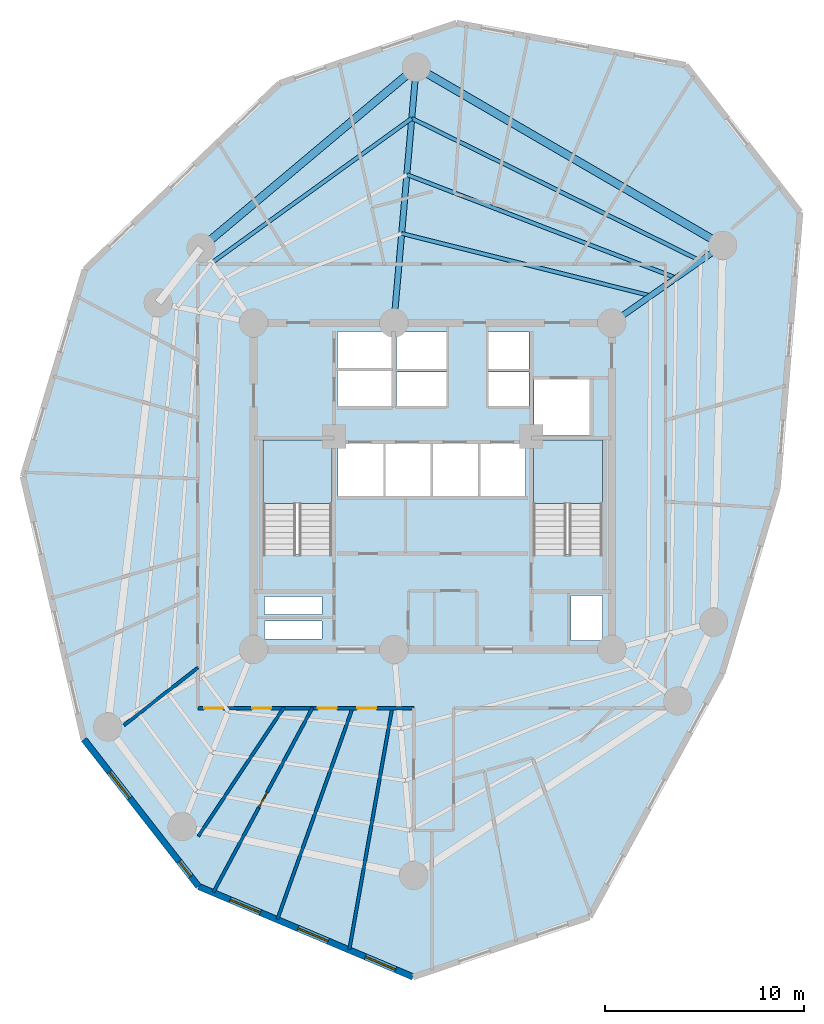
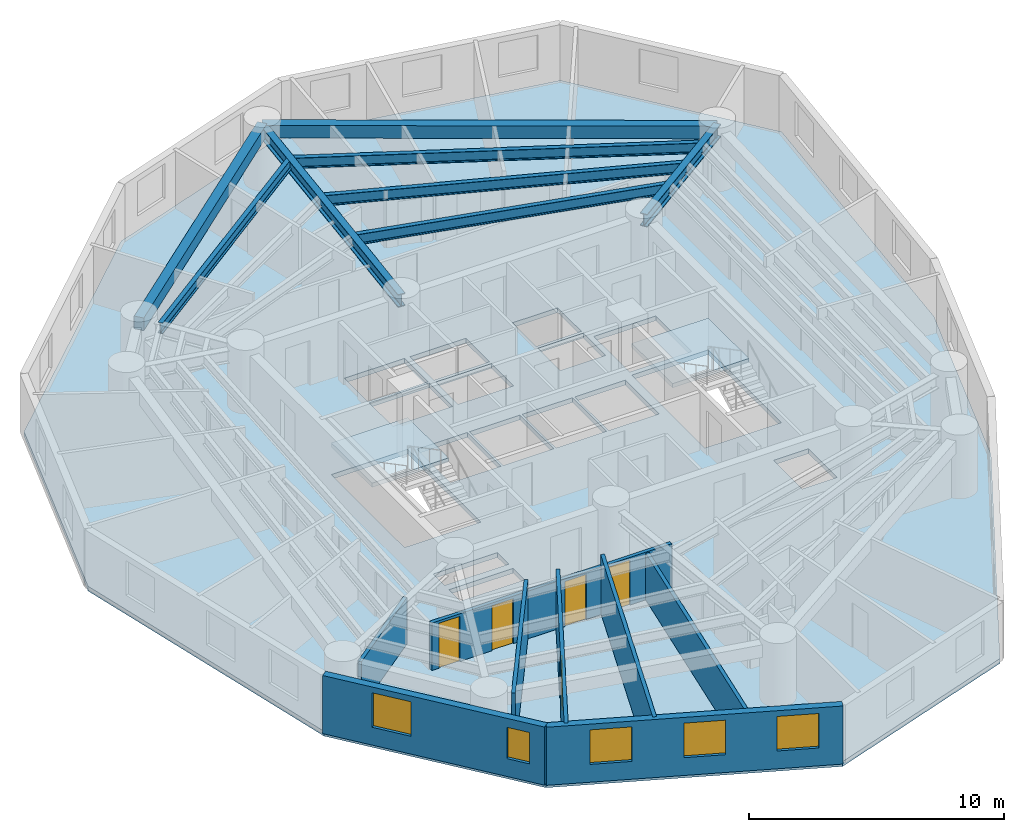
# One storey, part 2 of 7: 8 beams, 8 walls, 5 doors, 5 windows, 3 slabs, 10 openings, 2 elements without a shape of their own.
"""IFC4 building model written with IfcOpenShell, lengths in metres."""

from ifc_helpers import new_model, si_unit, direction, frame, frame_2d, origin, origin_with_axes, origin_2d, place, context, subcontext, project, spatial, polyline, rectangle, i_section, outline, extrude, source, transform, mapped, material, layer, layer_set, material_profile, profile_set, type_object, element, fill, aggregate, save


model = new_model("IFC4")

# Units and contexts
model_context = context("Model", 3, precision=1e-05, world=origin(), true_north=direction((0.0, 1.0)))
body_context = subcontext(model_context, "Body", "Model", "MODEL_VIEW")
ifc_project = project(units=[si_unit("LENGTHUNIT", "METRE"), si_unit("AREAUNIT", "SQUARE_METRE"), si_unit("VOLUMEUNIT", "CUBIC_METRE"), si_unit("PLANEANGLEUNIT", "RADIAN"), si_unit("MASSUNIT", "GRAM", prefix="KILO")], contexts=[model_context])

# Site, building, storey
site_placement = place(None, origin())
site = spatial("IfcSite", under=ifc_project, at=site_placement, CompositionType="ELEMENT")
building_placement = place(site_placement, origin())
building = spatial("IfcBuilding", under=site, at=building_placement, Name="Karkom Vertical University and Central Library", CompositionType="ELEMENT")
storey_placement = place(building_placement, frame((0.0, 0.0, 145.0)))
storey = spatial("IfcBuildingStorey", under=building, at=storey_placement, Name="L41", CompositionType="ELEMENT", Elevation=145.0)

# Beams
ifc_material_1 = material(Name="Precast concrete C45/55", Category="concrete")
ifc_material_profile_1 = material_profile(ifc_material_1, rectangle(XDim=0.39990234375, YDim=0.60009765625, at=origin_2d()), Name="SPB-400x600")
ifc_profile_set_1 = profile_set([ifc_material_profile_1], Name="Precast concrete C45/55")
beam_type_1 = type_object("IfcBeamType", Name="STR-BM-SP-1", PredefinedType="SPANDREL", material=ifc_profile_set_1)
shared_shape_1 = source(origin_with_axes(), body_context, "Body", "SweptSolid", [
    extrude(rectangle(XDim=0.39990234375, YDim=0.60009765625, at=origin_2d()), origin(), (0.0, 0.0, 1.0), 17.808837890625),
])
beam_1_placement = place(storey_placement, frame((43.070068359375, 38.60009765625, 2.47509765625), z_axis=(-0.864512866362, 0.502610688202, 0.0), x_axis=(-0.502610688202, -0.864512866362, 0.0)))
element("IfcBeam", 1, at=beam_1_placement, inside=storey, type_object=beam_type_1, Name="Level 41 Perimeter Spandrel Beam 02", PredefinedType="SPANDREL", context=body_context, shape_type="MappedRepresentation", body=[
    mapped(shared_shape_1, transform((0.0, 0.0, 0.0), scale=1.0)),
])
shared_shape_2 = source(origin_with_axes(), body_context, "Body", "SweptSolid", [
    extrude(rectangle(XDim=0.39990234375, YDim=0.60009765625, at=origin_2d()), origin(), (0.0, 0.0, 1.0), 14.120849609375),
])
beam_2_placement = place(storey_placement, frame((27.674072265625, 47.551025390625, 2.47509765625), z_axis=(-0.765672847866, -0.643230199883, 0.0), x_axis=(0.643230199883, -0.765672847866, 0.0)))
element("IfcBeam", 2, at=beam_2_placement, inside=storey, type_object=beam_type_1, Name="Level 41 Perimeter Spandrel Beam 03", PredefinedType="SPANDREL", context=body_context, shape_type="MappedRepresentation", body=[
    mapped(shared_shape_2, transform((0.0, 0.0, 0.0), scale=1.0)),
])
ifc_material_2 = material(Name="Steel S355", Category="steel")
ifc_material_profile_2 = material_profile(ifc_material_2, i_section(OverallWidth=0.199951171875, OverallDepth=0.5, WebThickness=0.01025390625, FlangeThickness=0.01611328125, FilletRadius=0.02099609375, at=origin_2d()), Name="IPE 500")
ifc_profile_set_2 = profile_set([ifc_material_profile_2], Name="Steel S355")
beam_type_2 = type_object("IfcBeamType", Name="STR-BM-SB-IPE500", PredefinedType="BEAM", material=ifc_profile_set_2)
shared_shape_3 = source(origin_with_axes(), body_context, "Body", "SweptSolid", [
    extrude(i_section(OverallWidth=0.199951171875, OverallDepth=0.5, WebThickness=0.01025390625, FlangeThickness=0.01611328125, FilletRadius=0.02099609375, at=origin_2d()), origin(), (0.0, 0.0, 1.0), 12.892578125),
])
beam_3_placement = place(storey_placement, frame((39.449462890625, 36.06494140625, 2.52490234375), z_axis=(-0.970023194321, 0.243012350468, 0.0), x_axis=(-0.243012350468, -0.970023194321, 0.0)))
element("IfcBeam", 3, at=beam_3_placement, inside=storey, type_object=beam_type_2, Name="Level 41 Secondary Composite Floor Beam 1.02", PredefinedType="BEAM", context=body_context, shape_type="MappedRepresentation", body=[
    mapped(shared_shape_3, transform((0.0, 0.0, 0.0), scale=1.0)),
])
shared_shape_4 = source(origin_with_axes(), body_context, "Body", "SweptSolid", [
    extrude(i_section(OverallWidth=0.199951171875, OverallDepth=0.5, WebThickness=0.01025390625, FlangeThickness=0.01611328125, FilletRadius=0.02099609375, at=origin_2d()), origin(), (0.0, 0.0, 1.0), 14.49072265625),
])
beam_4_placement = place(storey_placement, frame((40.730712890625, 36.9619140625, 2.52490234375), z_axis=(-0.93361673171, 0.35827335691, 0.0), x_axis=(-0.35827335691, -0.93361673171, 0.0)))
element("IfcBeam", 4, at=beam_4_placement, inside=storey, type_object=beam_type_2, Name="Level 41 Secondary Composite Floor Beam 2.02", PredefinedType="BEAM", context=body_context, shape_type="MappedRepresentation", body=[
    mapped(shared_shape_4, transform((0.0, 0.0, 0.0), scale=1.0)),
])
shared_shape_5 = source(origin_with_axes(), body_context, "Body", "SweptSolid", [
    extrude(i_section(OverallWidth=0.199951171875, OverallDepth=0.5, WebThickness=0.01025390625, FlangeThickness=0.01611328125, FilletRadius=0.02099609375, at=origin_2d()), origin(), (0.0, 0.0, 1.0), 16.177978515625),
])
beam_5_placement = place(storey_placement, frame((41.9560546875, 37.820068359375, 2.52490234375), z_axis=(-0.896709262653, 0.442620038263, 0.0), x_axis=(-0.442620038263, -0.896709262653, 0.0)))
element("IfcBeam", 5, at=beam_5_placement, inside=storey, type_object=beam_type_2, Name="Level 41 Secondary Composite Floor Beam 3.02", PredefinedType="BEAM", context=body_context, shape_type="MappedRepresentation", body=[
    mapped(shared_shape_5, transform((0.0, 0.0, 0.0), scale=1.0)),
])
shared_shape_6 = source(origin_with_axes(), body_context, "Body", "SweptSolid", [
    extrude(i_section(OverallWidth=0.199951171875, OverallDepth=0.5, WebThickness=0.01025390625, FlangeThickness=0.01611328125, FilletRadius=0.02099609375, at=origin_2d()), origin(), (0.0, 0.0, 1.0), 12.409423828125),
])
beam_6_placement = place(storey_placement, frame((27.44921875, 44.980712890625, 2.52490234375), z_axis=(-0.810636686292, -0.585549453793, 0.0), x_axis=(0.585549453793, -0.810636686292, 0.0)))
element("IfcBeam", 6, at=beam_6_placement, inside=storey, type_object=beam_type_2, Name="Level 41 Secondary Composite Floor Beam 3.03", PredefinedType="BEAM", context=body_context, shape_type="MappedRepresentation", body=[
    mapped(shared_shape_6, transform((0.0, 0.0, 0.0), scale=1.0)),
])
ifc_material_profile_3 = material_profile(ifc_material_2, i_section(OverallWidth=0.300048828125, OverallDepth=0.60009765625, WebThickness=0.015380859375, FlangeThickness=0.030029296875, FilletRadius=0.027099609375, at=origin_2d()), Name="HE 600 B")
ifc_profile_set_3 = profile_set([ifc_material_profile_3], Name="Steel S355")
beam_type_3 = type_object("IfcBeamType", Name="STR-BM-SB-HE600", PredefinedType="USERDEFINED", material=ifc_profile_set_3)
shared_shape_7 = source(origin_with_axes(), body_context, "Body", "SweptSolid", [
    extrude(i_section(OverallWidth=0.300048828125, OverallDepth=0.60009765625, WebThickness=0.015380859375, FlangeThickness=0.030029296875, FilletRadius=0.027099609375, at=origin_2d()), origin(), (0.0, 0.0, 1.0), 6.7998046875),
])
beam_7_placement = place(storey_placement, frame((37.5, 34.699951171875, 2.47509765625), z_axis=(0.819156008334, 0.573570775066, 0.0), x_axis=(-0.573570775066, 0.819156008334, 0.0)))
element("IfcBeam", 7, at=beam_7_placement, inside=storey, type_object=beam_type_3, Name="Level 41 Radial Frame Girder 02", ObjectType="GIRDER", PredefinedType="USERDEFINED", context=body_context, shape_type="MappedRepresentation", body=[
    mapped(shared_shape_7, transform((0.0, 0.0, 0.0), scale=1.0)),
])
shared_shape_8 = source(origin_with_axes(), body_context, "Body", "SweptSolid", [
    extrude(i_section(OverallWidth=0.300048828125, OverallDepth=0.60009765625, WebThickness=0.015380859375, FlangeThickness=0.030029296875, FilletRadius=0.027099609375, at=origin_2d()), origin(), (0.0, 0.0, 1.0), 12.900146484375),
])
beam_8_placement = place(storey_placement, frame((26.550048828125, 34.699951171875, 2.47509765625), z_axis=(0.087132673751, 0.996196716098, 0.0), x_axis=(-0.996196716098, 0.087132673751, 0.0)))
element("IfcBeam", 8, at=beam_8_placement, inside=storey, type_object=beam_type_3, Name="Level 41 Radial Frame Girder 03", ObjectType="GIRDER", PredefinedType="USERDEFINED", context=body_context, shape_type="MappedRepresentation", body=[
    mapped(shared_shape_8, transform((0.0, 0.0, 0.0), scale=1.0)),
])

# Stair, slab
ifc_material_3 = material(Name="Concrete C45/55", Category="concrete")
stair_type = type_object("IfcStairType", Name="INT-STR-ST-MAIN", PredefinedType="HALF_TURN_STAIR", material=ifc_material_3)
stair_1_placement = place(storey_placement, origin())
stair_1 = element("IfcStair", 9, at=stair_1_placement, inside=storey, type_object=stair_type, Name="Level 41 Tower Protected Exit Stair ST-1", PredefinedType="HALF_TURN_STAIR")
ifc_layer_1 = layer(ifc_material_3, 0.199951171875)
ifc_layer_set_1 = layer_set([ifc_layer_1], Name="Concrete C45/55")
slab_type_1 = type_object("IfcSlabType", Name="INT-SLB-LANDING", PredefinedType="LANDING", material=ifc_layer_set_1)
slab_1_placement = place(storey_placement, frame((0.0, 0.0, 1.324951171875)))
slab_1 = element("IfcSlab", 10, at=slab_1_placement, type_object=slab_type_1, Name="ST-1 landing 1", PredefinedType="LANDING", context=body_context, shape_type="SweptSolid", body=[
    extrude(outline(polyline([(23.43994140625, 25.6298828125), (23.43994140625, 28.820068359375), (19.97998046875, 28.820068359375), (19.97998046875, 25.6298828125), (23.43994140625, 25.6298828125)])), origin(), (0.0, 0.0, 1.0), 0.199951171875),
])
aggregate(stair_1, [slab_1])

stair_2_placement = place(storey_placement, origin())
stair_2 = element("IfcStair", 11, at=stair_2_placement, inside=storey, type_object=stair_type, Name="Level 41 Tower Protected Exit Stair ST-2", PredefinedType="HALF_TURN_STAIR")
slab_2_placement = place(storey_placement, frame((0.0, 0.0, 1.324951171875)))
slab_2 = element("IfcSlab", 12, at=slab_2_placement, type_object=slab_type_1, Name="ST-2 landing 1", PredefinedType="LANDING", context=body_context, shape_type="SweptSolid", body=[
    extrude(outline(polyline([(37.02001953125, 25.6298828125), (37.02001953125, 28.820068359375), (33.56005859375, 28.820068359375), (33.56005859375, 25.6298828125), (37.02001953125, 25.6298828125)])), origin(), (0.0, 0.0, 1.0), 0.199951171875),
])
aggregate(stair_2, [slab_2])

# Slab
ifc_layer_2 = layer(ifc_material_3, 0.22509765625)
ifc_layer_set_2 = layer_set([ifc_layer_2], Name="Concrete C45/55")
slab_type_2 = type_object("IfcSlabType", Name="STR-SLB-FLR-225", PredefinedType="FLOOR", material=ifc_layer_set_2)
slab_3_placement = place(storey_placement, frame((0.0, 0.0, -0.22509765625)))
element("IfcSlab", 13, at=slab_3_placement, inside=storey, type_object=slab_type_2, Name="Level 41 Tower Structural Floor Slab", PredefinedType="FLOOR", context=body_context, shape_type="SweptSolid", body=[
    extrude(outline(polyline([(11.03369140625, 37.381103515625), (7.92724609375, 26.987548828125), (10.978759765625, 13.789306640625), (16.7412109375, 6.393798828125), (27.51416015625, 1.85009765625), (36.37060546875, 4.864013671875), (43.03857421875, 17.1005859375), (45.81201171875, 26.380126953125), (46.9521484375, 40.268798828125), (41.2021484375, 47.648193359375), (29.702392578125, 49.760986328125), (20.826904296875, 46.740478515625), (11.03369140625, 37.381103515625)]), holes=[polyline([(19.97998046875, 23.0849609375), (23.43994140625, 23.0849609375), (23.43994140625, 28.820068359375), (19.97998046875, 28.820068359375), (19.97998046875, 23.0849609375)]), polyline([(33.56005859375, 23.0849609375), (37.02001953125, 23.0849609375), (37.02001953125, 28.820068359375), (33.56005859375, 28.820068359375), (33.56005859375, 23.0849609375)]), polyline([(23.75, 26.0), (26.030029296875, 26.0), (26.030029296875, 28.64990234375), (23.75, 28.64990234375), (23.75, 26.0)]), polyline([(26.1298828125, 26.0), (28.409912109375, 26.0), (28.409912109375, 28.64990234375), (26.1298828125, 28.64990234375), (26.1298828125, 26.0)]), polyline([(28.510009765625, 26.0), (30.7900390625, 26.0), (30.7900390625, 28.64990234375), (28.510009765625, 28.64990234375), (28.510009765625, 26.0)]), polyline([(30.889892578125, 26.0), (33.169921875, 26.0), (33.169921875, 28.64990234375), (30.889892578125, 28.64990234375), (30.889892578125, 26.0)]), polyline([(26.679931640625, 30.5), (29.199951171875, 30.5), (29.199951171875, 32.25), (26.679931640625, 32.25), (26.679931640625, 30.5)]), polyline([(26.679931640625, 32.39990234375), (29.199951171875, 32.39990234375), (29.199951171875, 34.25), (26.679931640625, 34.25), (26.679931640625, 32.39990234375)]), polyline([(31.300048828125, 30.5), (33.35009765625, 30.5), (33.35009765625, 32.25), (31.300048828125, 32.25), (31.300048828125, 30.5)]), polyline([(31.300048828125, 32.39990234375), (33.35009765625, 32.39990234375), (33.35009765625, 34.25), (31.300048828125, 34.25), (31.300048828125, 32.39990234375)]), polyline([(23.719970703125, 30.47998046875), (26.429931640625, 30.47998046875), (26.429931640625, 32.320068359375), (23.719970703125, 32.320068359375), (23.719970703125, 30.47998046875)]), polyline([(23.719970703125, 32.419921875), (26.429931640625, 32.419921875), (26.429931640625, 34.260009765625), (23.719970703125, 34.260009765625), (23.719970703125, 32.419921875)]), polyline([(33.60009765625, 29.050048828125), (36.39990234375, 29.050048828125), (36.39990234375, 31.85009765625), (33.60009765625, 31.85009765625), (33.60009765625, 29.050048828125)]), polyline([(20.050048828125, 18.820068359375), (22.949951171875, 18.820068359375), (22.949951171875, 19.719970703125), (20.050048828125, 19.719970703125), (20.050048828125, 18.820068359375)]), polyline([(20.050048828125, 20.06005859375), (22.949951171875, 20.06005859375), (22.949951171875, 20.9599609375), (20.050048828125, 20.9599609375), (20.050048828125, 20.06005859375)]), polyline([(35.4599609375, 18.760009765625), (37.0400390625, 18.760009765625), (37.0400390625, 21.010009765625), (35.4599609375, 21.010009765625), (35.4599609375, 18.760009765625)])]), origin(), (0.0, 0.0, 1.0), 0.22509765625),
])

# Wall, openings, windows
ifc_material_4 = material(Name="Brick-faced precast concrete C45/55", Category="masonry")
ifc_layer_3 = layer(ifc_material_4, 0.320068359375)
ifc_layer_set_3 = layer_set([ifc_layer_3], Name="Brick-faced precast concrete C45/55")
wall_type_1 = type_object("IfcWallType", Name="ENV-WL-BRK-320", PredefinedType="SOLIDWALL", material=ifc_layer_set_3)
wall_1_placement = place(storey_placement, frame((10.978759765625, 13.789306640625, 0.0), z_axis=(0.0, 0.0, 1.0), x_axis=(0.614630849057, -0.788814882838, 0.0)))
wall_1 = element("IfcWall", 14, at=wall_1_placement, inside=storey, type_object=wall_type_1, Name="Level 41 Brick-Faced Precast Facade Wall 03", PredefinedType="SOLIDWALL", context=body_context, shape_type="SweptSolid", body=[
    extrude(rectangle(XDim=9.37548828125, YDim=0.320068359375, at=frame_2d((4.687744140625, 0.0))), origin(), (0.0, 0.0, 1.0), 2.77490234375),
])
opening_1_placement = place(wall_1_placement, frame((2.09521484375, 0.0, 0.85009765625)))
opening_1 = element("IfcOpeningElement", 15, at=opening_1_placement, cuts=wall_1, Name="Opening WN-06", PredefinedType="OPENING", context=body_context, shape_type="SweptSolid", body=[
    extrude(rectangle(XDim=1.64990234375, YDim=1.64990234375, at=frame_2d((0.824951171875, 0.824951171875))), frame((0.0, 0.169921875, 0.0), z_axis=(0.0, -1.0, 0.0), x_axis=(1.0, 0.0, 0.0)), (0.0, 0.0, 1.0), 0.340087890625),
])
opening_2_placement = place(wall_1_placement, frame((7.782958984375, 0.0, 0.85009765625)))
opening_2 = element("IfcOpeningElement", 16, at=opening_2_placement, cuts=wall_1, Name="Opening WN-12", PredefinedType="OPENING", context=body_context, shape_type="SweptSolid", body=[
    extrude(rectangle(XDim=0.949951171875, YDim=1.5, at=frame_2d((0.47509765625, 0.75))), frame((0.0, 0.169921875, 0.0), z_axis=(0.0, -1.0, 0.0), x_axis=(1.0, 0.0, 0.0)), (0.0, 0.0, 1.0), 0.340087890625),
])
ifc_material_5 = material(Name="Aluminium thermal-break frame with solar-control IGU", Category="aluminium")
window_type_1 = type_object("IfcWindowType", Name="ENV-WIN-WN-06", PartitioningType="SINGLE_PANEL", PredefinedType="WINDOW", material=ifc_material_5)
shared_shape_9 = source(origin_with_axes(), body_context, "Body", "SweptSolid", [
    extrude(rectangle(XDim=1.64990234375, YDim=1.64990234375, at=frame_2d((0.824951171875, 0.824951171875))), frame((0.0, 0.030029296875, 0.0), z_axis=(0.0, -1.0, 0.0), x_axis=(1.0, 0.0, 0.0)), (0.0, 0.0, 1.0), 0.06005859375),
])
window_1_placement = place(opening_1_placement, origin())
window_1 = element("IfcWindow", 17, at=window_1_placement, inside=storey, type_object=window_type_1, Name="Level 41 Punched Window 3.1", OverallHeight=1.64990234375, OverallWidth=1.64990234375, PartitioningType="SINGLE_PANEL", PredefinedType="WINDOW", context=body_context, shape_type="MappedRepresentation", body=[
    mapped(shared_shape_9, transform((0.0, 0.0, 0.0), scale=1.0)),
])
fill(opening_1, window_1)
window_type_2 = type_object("IfcWindowType", Name="ENV-WIN-WN-12", PartitioningType="SINGLE_PANEL", PredefinedType="WINDOW", material=ifc_material_5)
shared_shape_10 = source(origin_with_axes(), body_context, "Body", "SweptSolid", [
    extrude(rectangle(XDim=0.949951171875, YDim=1.5, at=frame_2d((0.47509765625, 0.75))), frame((0.0, 0.030029296875, 0.0), z_axis=(0.0, -1.0, 0.0), x_axis=(1.0, 0.0, 0.0)), (0.0, 0.0, 1.0), 0.06005859375),
])
window_2_placement = place(opening_2_placement, origin())
window_2 = element("IfcWindow", 18, at=window_2_placement, inside=storey, type_object=window_type_2, Name="Level 41 Punched Window 3.2", OverallHeight=1.5, OverallWidth=0.949951171875, PartitioningType="SINGLE_PANEL", PredefinedType="WINDOW", context=body_context, shape_type="MappedRepresentation", body=[
    mapped(shared_shape_10, transform((0.0, 0.0, 0.0), scale=1.0)),
])
fill(opening_2, window_2)

wall_2_placement = place(storey_placement, frame((16.7412109375, 6.393798828125, 0.0), z_axis=(0.0, 0.0, 1.0), x_axis=(0.921398977831, -0.388617966197, 0.0)))
wall_2 = element("IfcWall", 19, at=wall_2_placement, inside=storey, type_object=wall_type_1, Name="Level 41 Brick-Faced Precast Facade Wall 04", PredefinedType="SOLIDWALL", context=body_context, shape_type="SweptSolid", body=[
    extrude(rectangle(XDim=11.69189453125, YDim=0.320068359375, at=frame_2d((5.845947265625, 0.0))), origin(), (0.0, 0.0, 1.0), 2.77490234375),
])
opening_3_placement = place(wall_2_placement, frame((1.718017578125, 0.0, 0.85009765625)))
opening_3 = element("IfcOpeningElement", 20, at=opening_3_placement, cuts=wall_2, Name="Opening WN-06", PredefinedType="OPENING", context=body_context, shape_type="SweptSolid", body=[
    extrude(rectangle(XDim=1.64990234375, YDim=1.64990234375, at=frame_2d((0.824951171875, 0.824951171875))), frame((0.0, 0.169921875, 0.0), z_axis=(0.0, -1.0, 0.0), x_axis=(1.0, 0.0, 0.0)), (0.0, 0.0, 1.0), 0.340087890625),
])
opening_4_placement = place(wall_2_placement, frame((5.417724609375, 0.0, 0.85009765625)))
opening_4 = element("IfcOpeningElement", 21, at=opening_4_placement, cuts=wall_2, Name="Opening WN-06", PredefinedType="OPENING", context=body_context, shape_type="SweptSolid", body=[
    extrude(rectangle(XDim=1.64990234375, YDim=1.64990234375, at=frame_2d((0.824951171875, 0.824951171875))), frame((0.0, 0.169921875, 0.0), z_axis=(0.0, -1.0, 0.0), x_axis=(1.0, 0.0, 0.0)), (0.0, 0.0, 1.0), 0.340087890625),
])
opening_5_placement = place(wall_2_placement, frame((9.091064453125, 0.0, 0.85009765625)))
opening_5 = element("IfcOpeningElement", 22, at=opening_5_placement, cuts=wall_2, Name="Opening WN-06", PredefinedType="OPENING", context=body_context, shape_type="SweptSolid", body=[
    extrude(rectangle(XDim=1.64990234375, YDim=1.64990234375, at=frame_2d((0.824951171875, 0.824951171875))), frame((0.0, 0.169921875, 0.0), z_axis=(0.0, -1.0, 0.0), x_axis=(1.0, 0.0, 0.0)), (0.0, 0.0, 1.0), 0.340087890625),
])
window_3_placement = place(opening_3_placement, origin())
window_3 = element("IfcWindow", 23, at=window_3_placement, inside=storey, type_object=window_type_1, Name="Level 41 Punched Window 4.1", OverallHeight=1.64990234375, OverallWidth=1.64990234375, PartitioningType="SINGLE_PANEL", PredefinedType="WINDOW", context=body_context, shape_type="MappedRepresentation", body=[
    mapped(shared_shape_9, transform((0.0, 0.0, 0.0), scale=1.0)),
])
fill(opening_3, window_3)
window_4_placement = place(opening_4_placement, origin())
window_4 = element("IfcWindow", 24, at=window_4_placement, inside=storey, type_object=window_type_1, Name="Level 41 Punched Window 4.2", OverallHeight=1.64990234375, OverallWidth=1.64990234375, PartitioningType="SINGLE_PANEL", PredefinedType="WINDOW", context=body_context, shape_type="MappedRepresentation", body=[
    mapped(shared_shape_9, transform((0.0, 0.0, 0.0), scale=1.0)),
])
fill(opening_4, window_4)
window_5_placement = place(opening_5_placement, origin())
window_5 = element("IfcWindow", 25, at=window_5_placement, inside=storey, type_object=window_type_1, Name="Level 41 Punched Window 4.3", OverallHeight=1.64990234375, OverallWidth=1.64990234375, PartitioningType="SINGLE_PANEL", PredefinedType="WINDOW", context=body_context, shape_type="MappedRepresentation", body=[
    mapped(shared_shape_9, transform((0.0, 0.0, 0.0), scale=1.0)),
])
fill(opening_5, window_5)

# Walls
ifc_material_6 = material(Name="Insulated metal-stud drywall 160mm", Category="gypsum")
ifc_layer_4 = layer(ifc_material_6, 0.159912109375)
ifc_layer_set_4 = layer_set([ifc_layer_4], Name="Insulated metal-stud drywall 160mm")
wall_type_2 = type_object("IfcWallType", Name="INT-WL-COR-160", PredefinedType="PARTITIONING", material=ifc_layer_set_4)
wall_3_placement = place(storey_placement, frame((26.4677734375, 15.37939453125, 0.0), z_axis=(0.0, 0.0, 1.0), x_axis=(-0.174557268275, -0.984647023096, 0.0)))
element("IfcWall", 26, at=wall_3_placement, inside=storey, type_object=wall_type_2, Name="Level 41 Interior Partition Wall L41-PW-008", PredefinedType="PARTITIONING", context=body_context, shape_type="SweptSolid", body=[
    extrude(rectangle(XDim=12.340087890625, YDim=0.159912109375, at=frame_2d((6.169921875, 0.0))), origin(), (0.0, 0.0, 1.0), 2.219970703125),
])
wall_4_placement = place(storey_placement, frame((24.481201171875, 15.37841796875, 0.0), z_axis=(0.0, 0.0, 1.0), x_axis=(-0.335066456908, -0.942194496617, 0.0)))
element("IfcWall", 27, at=wall_4_placement, inside=storey, type_object=wall_type_2, Name="Level 41 Interior Partition Wall L41-PW-007", PredefinedType="PARTITIONING", context=body_context, shape_type="SweptSolid", body=[
    extrude(rectangle(XDim=11.280029296875, YDim=0.159912109375, at=frame_2d((5.64013671875, 0.0))), origin(), (0.0, 0.0, 1.0), 2.77490234375),
])

# Wall, openings, doors
wall_5_placement = place(storey_placement, frame((27.550048828125, 15.35009765625, 0.0), z_axis=(0.0, 0.0, 1.0), x_axis=(-1.0, 0.0, 0.0)))
wall_5 = element("IfcWall", 28, at=wall_5_placement, inside=storey, type_object=wall_type_2, Name="Level 41 Interior Partition Wall L41-CORW-CW-001", PredefinedType="PARTITIONING", context=body_context, shape_type="SweptSolid", body=[
    extrude(rectangle(XDim=10.85009765625, YDim=0.159912109375, at=frame_2d((5.425048828125, 0.0))), origin(), (0.0, 0.0, 1.0), 2.27490234375),
])
opening_6_placement = place(wall_5_placement, frame((7.16748046875, 0.0, 0.0)))
opening_6 = element("IfcOpeningElement", 29, at=opening_6_placement, cuts=wall_5, Name="Opening D-RM1", PredefinedType="OPENING", context=body_context, shape_type="SweptSolid", body=[
    extrude(rectangle(XDim=0.949951171875, YDim=2.14990234375, at=frame_2d((0.47509765625, 1.074951171875))), frame((0.0, 0.08984375, 0.0), z_axis=(0.0, -1.0, 0.0), x_axis=(1.0, 0.0, 0.0)), (0.0, 0.0, 1.0), 0.179931640625),
])
opening_7_placement = place(wall_5_placement, frame((3.860107421875, 0.0, 0.0)))
opening_7 = element("IfcOpeningElement", 30, at=opening_7_placement, cuts=wall_5, Name="Opening FD-RM2", PredefinedType="OPENING", context=body_context, shape_type="SweptSolid", body=[
    extrude(rectangle(XDim=0.9599609375, YDim=2.14990234375, at=frame_2d((0.47998046875, 1.074951171875))), frame((0.0, 0.08984375, 0.0), z_axis=(0.0, -1.0, 0.0), x_axis=(1.0, 0.0, 0.0)), (0.0, 0.0, 1.0), 0.179931640625),
])
opening_8_placement = place(wall_5_placement, frame((1.882568359375, 0.0, 0.0)))
opening_8 = element("IfcOpeningElement", 31, at=opening_8_placement, cuts=wall_5, Name="Opening FD-RM2", PredefinedType="OPENING", context=body_context, shape_type="SweptSolid", body=[
    extrude(rectangle(XDim=0.9599609375, YDim=2.14990234375, at=frame_2d((0.47998046875, 1.074951171875))), frame((0.0, 0.08984375, 0.0), z_axis=(0.0, -1.0, 0.0), x_axis=(1.0, 0.0, 0.0)), (0.0, 0.0, 1.0), 0.179931640625),
])
opening_9_placement = place(wall_5_placement, frame((9.577392578125, 0.0, 0.0)))
opening_9 = element("IfcOpeningElement", 32, at=opening_9_placement, cuts=wall_5, Name="Opening D-RM1", PredefinedType="OPENING", context=body_context, shape_type="SweptSolid", body=[
    extrude(rectangle(XDim=0.949951171875, YDim=2.14990234375, at=frame_2d((0.47509765625, 1.074951171875))), frame((0.0, 0.08984375, 0.0), z_axis=(0.0, -1.0, 0.0), x_axis=(1.0, 0.0, 0.0)), (0.0, 0.0, 1.0), 0.179931640625),
])
ifc_material_7 = material(Name="Fire-rated oak veneer door", Category="wood")
door_type_1 = type_object("IfcDoorType", Name="INT-DR-FRM2", OperationType="NOTDEFINED", PredefinedType="DOOR", material=ifc_material_7)
shared_shape_11 = source(origin_with_axes(), body_context, "Body", "SweptSolid", [
    extrude(rectangle(XDim=0.9599609375, YDim=2.14990234375, at=frame_2d((0.47998046875, 1.074951171875))), frame((0.0, 0.02490234375, 0.0), z_axis=(0.0, -1.0, 0.0), x_axis=(1.0, 0.0, 0.0)), (0.0, 0.0, 1.0), 0.050048828125),
])
door_1_placement = place(opening_7_placement, origin())
door_1 = element("IfcDoor", 33, at=door_1_placement, inside=storey, type_object=door_type_1, Name="Level 41 Room Entry Door 040", OperationType="SINGLE_SWING_RIGHT", OverallHeight=2.14990234375, OverallWidth=0.9599609375, PredefinedType="DOOR", context=body_context, shape_type="MappedRepresentation", body=[
    mapped(shared_shape_11, transform((0.0, 0.0, 0.0), scale=1.0)),
])
fill(opening_7, door_1)
door_2_placement = place(opening_8_placement, origin())
door_2 = element("IfcDoor", 34, at=door_2_placement, inside=storey, type_object=door_type_1, Name="Level 41 Room Entry Door 050", OperationType="SINGLE_SWING_LEFT", OverallHeight=2.14990234375, OverallWidth=0.9599609375, PredefinedType="DOOR", context=body_context, shape_type="MappedRepresentation", body=[
    mapped(shared_shape_11, transform((0.0, 0.0, 0.0), scale=1.0)),
])
fill(opening_8, door_2)
ifc_material_8 = material(Name="Solid-core oak veneer door", Category="wood")
door_type_2 = type_object("IfcDoorType", Name="INT-DR-RM1", OperationType="NOTDEFINED", PredefinedType="DOOR", material=ifc_material_8)
shared_shape_12 = source(origin_with_axes(), body_context, "Body", "SweptSolid", [
    extrude(rectangle(XDim=0.949951171875, YDim=2.14990234375, at=frame_2d((0.47509765625, 1.074951171875))), frame((0.0, 0.02490234375, 0.0), z_axis=(0.0, -1.0, 0.0), x_axis=(1.0, 0.0, 0.0)), (0.0, 0.0, 1.0), 0.050048828125),
])
door_3_placement = place(opening_6_placement, origin())
door_3 = element("IfcDoor", 35, at=door_3_placement, inside=storey, type_object=door_type_2, Name="Level 41 Room Entry Door 030", OperationType="SINGLE_SWING_LEFT", OverallHeight=2.14990234375, OverallWidth=0.949951171875, PredefinedType="DOOR", context=body_context, shape_type="MappedRepresentation", body=[
    mapped(shared_shape_12, transform((0.0, 0.0, 0.0), scale=1.0)),
])
fill(opening_6, door_3)
door_4_placement = place(opening_9_placement, origin())
door_4 = element("IfcDoor", 36, at=door_4_placement, inside=storey, type_object=door_type_2, Name="Level 41 Room Entry Door 060", OperationType="SINGLE_SWING_RIGHT", OverallHeight=2.14990234375, OverallWidth=0.949951171875, PredefinedType="DOOR", context=body_context, shape_type="MappedRepresentation", body=[
    mapped(shared_shape_12, transform((0.0, 0.0, 0.0), scale=1.0)),
])
fill(opening_9, door_4)

# Wall, opening, door
wall_6_placement = place(storey_placement, frame((22.4609375, 15.37646484375, 0.0), z_axis=(0.0, 0.0, 1.0), x_axis=(-0.472961850839, -0.88108290623, 0.0)))
wall_6 = element("IfcWall", 37, at=wall_6_placement, inside=storey, type_object=wall_type_2, Name="Level 41 Interior Partition Wall L41-PW-006", PredefinedType="PARTITIONING", context=body_context, shape_type="SweptSolid", body=[
    extrude(rectangle(XDim=10.52001953125, YDim=0.159912109375, at=frame_2d((5.260009765625, 0.0))), origin(), (0.0, 0.0, 1.0), 2.77490234375),
])
opening_10_placement = place(wall_6_placement, frame((4.830078125, 0.0, 0.0)))
opening_10 = element("IfcOpeningElement", 38, at=opening_10_placement, cuts=wall_6, Name="Opening FD-BTH2", PredefinedType="OPENING", context=body_context, shape_type="SweptSolid", body=[
    extrude(rectangle(XDim=0.860107421875, YDim=2.0400390625, at=frame_2d((0.43017578125, 1.02001953125))), frame((0.0, 0.08984375, 0.0), z_axis=(0.0, -1.0, 0.0), x_axis=(1.0, 0.0, 0.0)), (0.0, 0.0, 1.0), 0.179931640625),
])
ifc_material_9 = material(Name="Fire-rated moisture-resistant oak door", Category="wood")
door_type_3 = type_object("IfcDoorType", Name="INT-DR-FBTH2", OperationType="NOTDEFINED", PredefinedType="DOOR", material=ifc_material_9)
shared_shape_13 = source(origin_with_axes(), body_context, "Body", "SweptSolid", [
    extrude(rectangle(XDim=0.860107421875, YDim=2.0400390625, at=frame_2d((0.43017578125, 1.02001953125))), frame((0.0, 0.02490234375, 0.0), z_axis=(0.0, -1.0, 0.0), x_axis=(1.0, 0.0, 0.0)), (0.0, 0.0, 1.0), 0.050048828125),
])
door_5_placement = place(opening_10_placement, origin())
door_5 = element("IfcDoor", 39, at=door_5_placement, inside=storey, type_object=door_type_3, Name="Level 41 University Seminar Classroom Entry Door", OperationType="SINGLE_SWING_LEFT", OverallHeight=2.0400390625, OverallWidth=0.860107421875, PredefinedType="DOOR", context=body_context, shape_type="MappedRepresentation", body=[
    mapped(shared_shape_13, transform((0.0, 0.0, 0.0), scale=1.0)),
])
fill(opening_10, door_5)

# Walls
wall_7_placement = place(storey_placement, frame((21.029052734375, 15.387451171875, 0.0), z_axis=(0.0, 0.0, 1.0), x_axis=(-0.554199638593, -0.832383782028, 0.0)))
element("IfcWall", 40, at=wall_7_placement, inside=storey, type_object=wall_type_2, Name="Level 41 Interior Partition Wall L41-PW-005", PredefinedType="PARTITIONING", context=body_context, shape_type="SweptSolid", body=[
    extrude(rectangle(XDim=7.767822265625, YDim=0.159912109375, at=frame_2d((3.8837890625, 0.0))), origin(), (0.0, 0.0, 1.0), 2.77490234375),
])
wall_8_placement = place(storey_placement, frame((16.7236328125, 17.400390625, 0.0), z_axis=(0.0, 0.0, 1.0), x_axis=(-0.788810038453, -0.614637066272, 0.0)))
element("IfcWall", 41, at=wall_8_placement, inside=storey, type_object=wall_type_2, Name="Level 41 Interior Partition Wall L41-PW-004", PredefinedType="PARTITIONING", context=body_context, shape_type="SweptSolid", body=[
    extrude(rectangle(XDim=4.730712890625, YDim=0.159912109375, at=frame_2d((2.365234375, 0.0))), origin(), (0.0, 0.0, 1.0), 2.219970703125),
])

save(model, "model.ifc")
